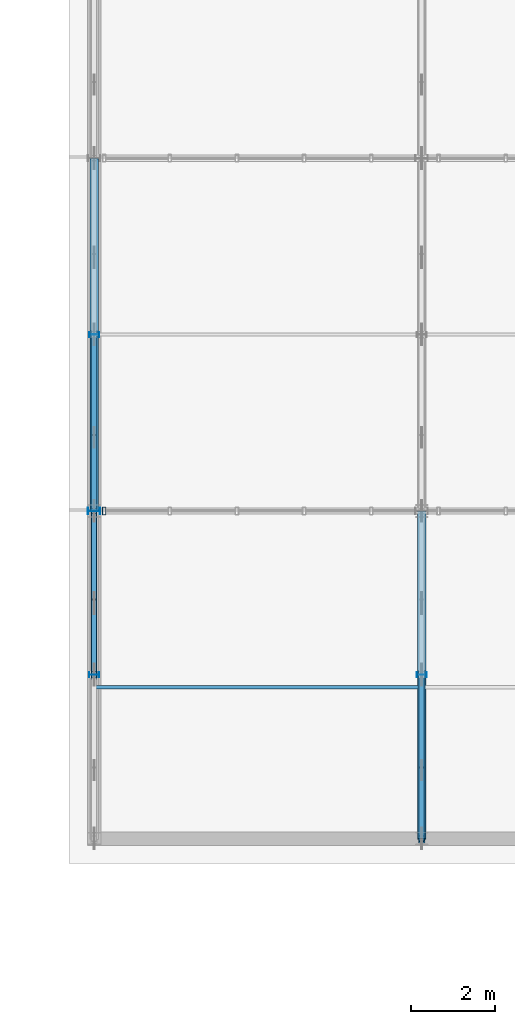
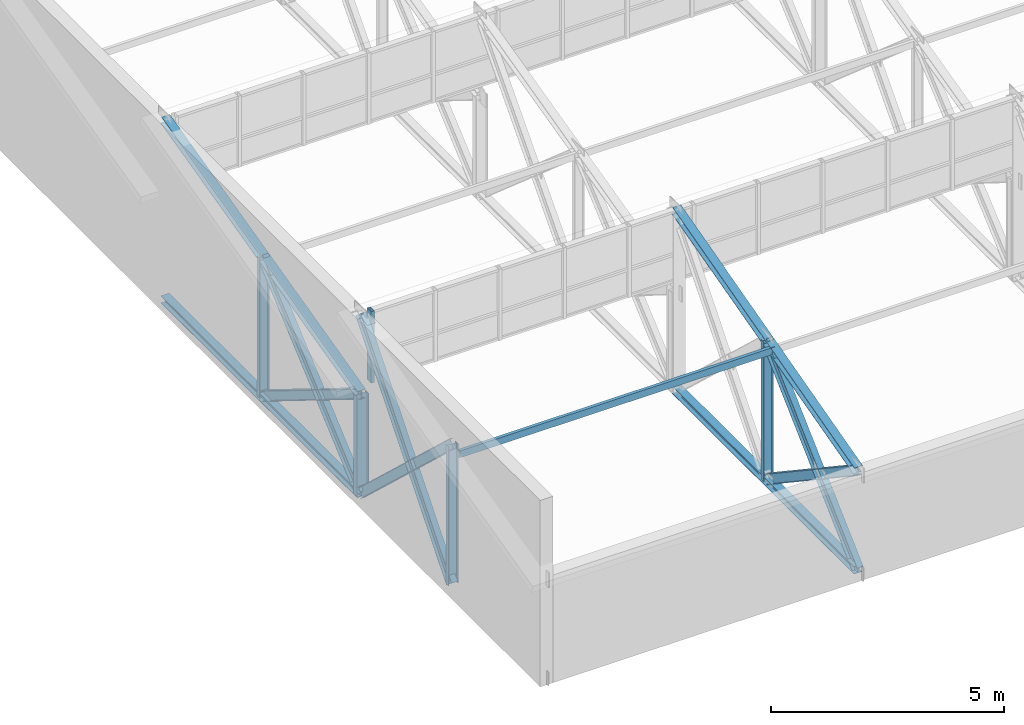
# One storey, part 66 of 123: 19 members, 1 element without a shape of its own.
"""IFC4 building model written with IfcOpenShell, lengths in metres."""

from ifc_helpers import new_model, si_unit, direction, frame, origin, origin_2d, place, context, subcontext, project, spatial, hollow_rectangle, i_section, extrude, material, layer, layer_set, material_profile, profile_set, type_object, element, aggregate, save


model = new_model("IFC4")

# Units and contexts
model_context = context("Model", 3, precision=1e-05, world=origin(), true_north=direction((0.0, 1.0)))
body_context = subcontext(model_context, "Body", "Model", "MODEL_VIEW")
ifc_project = project(units=[si_unit("LENGTHUNIT", "METRE"), si_unit("AREAUNIT", "SQUARE_METRE"), si_unit("VOLUMEUNIT", "CUBIC_METRE"), si_unit("PLANEANGLEUNIT", "RADIAN"), si_unit("MASSUNIT", "GRAM", prefix="KILO")], contexts=[model_context])

# Site, building, storey
site_placement = place(None, origin())
site = spatial("IfcSite", under=ifc_project, at=site_placement, CompositionType="ELEMENT")
building_placement = place(site_placement, origin())
building = spatial("IfcBuilding", under=site, at=building_placement, Name="Zayran Congress Hotel", CompositionType="ELEMENT")
storey_placement = place(building_placement, frame((0.0, 0.0, 15.0)))
storey = spatial("IfcBuildingStorey", under=building, at=storey_placement, Name="L03", CompositionType="ELEMENT", Elevation=15.0)

# Members
ifc_material_1 = material(Name="Steel S355", Category="steel")
ifc_material_profile_1 = material_profile(ifc_material_1, i_section(OverallWidth=0.199951171875, OverallDepth=0.199951171875, WebThickness=0.009033203125, FlangeThickness=0.014892578125, at=origin_2d()), Name="HEB 200")
ifc_profile_set_1 = profile_set([ifc_material_profile_1], Name="Steel S355")
member_type_1 = type_object("IfcMemberType", Name="TP-TR-CH2", PredefinedType="CHORD", material=ifc_profile_set_1)
member_1_placement = place(storey_placement, frame((151.800048828125, 17.199951171875, 0.0), z_axis=(0.0, 1.0, 0.0), x_axis=(-1.0, 0.0, 0.0)))
element("IfcMember", 1, at=member_1_placement, inside=storey, type_object=member_type_1, Name="Sawtooth Truss Bottom Chord 674", PredefinedType="CHORD", context=body_context, shape_type="SweptSolid", body=[
    extrude(i_section(OverallWidth=0.199951171875, OverallDepth=0.199951171875, WebThickness=0.009033203125, FlangeThickness=0.014892578125, at=origin_2d()), origin(), (0.0, 0.0, 1.0), 8.400146484375),
])
member_2_placement = place(storey_placement, frame((151.800048828125, 17.199951171875, 2.60009765625), z_axis=(0.0, 0.970299887237, 0.241905206287), x_axis=(-1.0, 0.0, 0.0)))
element("IfcMember", 2, at=member_2_placement, inside=storey, type_object=member_type_1, Name="Sawtooth Truss Top Chord 675", PredefinedType="CHORD", context=body_context, shape_type="SweptSolid", body=[
    extrude(i_section(OverallWidth=0.199951171875, OverallDepth=0.199951171875, WebThickness=0.009033203125, FlangeThickness=0.014892578125, at=origin_2d()), origin(), (0.0, 0.0, 1.0), 8.6572265625),
])
member_3_placement = place(storey_placement, frame((159.60009765625, 9.39990234375, 0.0), z_axis=(0.0, 1.0, 0.0), x_axis=(-1.0, 0.0, 0.0)))
element("IfcMember", 3, at=member_3_placement, inside=storey, type_object=member_type_1, Name="Sawtooth Truss Bottom Chord 686", PredefinedType="CHORD", context=body_context, shape_type="SweptSolid", body=[
    extrude(i_section(OverallWidth=0.199951171875, OverallDepth=0.199951171875, WebThickness=0.009033203125, FlangeThickness=0.014892578125, at=origin_2d()), origin(), (0.0, 0.0, 1.0), 7.800048828125),
])
member_4_placement = place(storey_placement, frame((159.60009765625, 9.39990234375, 2.60009765625), z_axis=(0.0, 0.96579502769, 0.259306699663), x_axis=(-1.0, 0.0, 0.0)))
element("IfcMember", 4, at=member_4_placement, inside=storey, type_object=member_type_1, Name="Sawtooth Truss Top Chord 687", PredefinedType="CHORD", context=body_context, shape_type="SweptSolid", body=[
    extrude(i_section(OverallWidth=0.199951171875, OverallDepth=0.199951171875, WebThickness=0.009033203125, FlangeThickness=0.014892578125, at=origin_2d()), origin(), (0.0, 0.0, 1.0), 8.076416015625),
])
ifc_material_profile_2 = material_profile(ifc_material_1, i_section(OverallWidth=0.14990234375, OverallDepth=0.300048828125, WebThickness=0.007080078125, FlangeThickness=0.0107421875, at=origin_2d()), Name="IPE 300")
ifc_profile_set_2 = profile_set([ifc_material_profile_2], Name="Steel S355")
member_type_2 = type_object("IfcMemberType", Name="TP-TR-BR1", PredefinedType="BRACE", material=ifc_profile_set_2)
member_5_placement = place(storey_placement, frame((151.800048828125, 13.300048828125, 0.0), z_axis=(0.0, 0.639018966279, 0.769190978065), x_axis=(-1.0, 0.0, 0.0)))
element("IfcMember", 5, at=member_5_placement, inside=storey, type_object=member_type_2, Name="Sawtooth Truss Diagonal Bay2 114", PredefinedType="BRACE", context=body_context, shape_type="SweptSolid", body=[
    extrude(i_section(OverallWidth=0.14990234375, OverallDepth=0.300048828125, WebThickness=0.007080078125, FlangeThickness=0.0107421875, at=origin_2d()), origin(), (0.0, 0.0, 1.0), 6.10302734375),
])
member_6_placement = place(storey_placement, frame((151.800048828125, 17.199951171875, 0.0), z_axis=(0.0, 0.755042838954, 0.655675461904), x_axis=(-1.0, 0.0, 0.0)))
element("IfcMember", 6, at=member_6_placement, inside=storey, type_object=member_type_2, Name="Sawtooth Truss Diagonal 676", PredefinedType="BRACE", context=body_context, shape_type="SweptSolid", body=[
    extrude(i_section(OverallWidth=0.14990234375, OverallDepth=0.300048828125, WebThickness=0.007080078125, FlangeThickness=0.0107421875, at=origin_2d()), origin(), (0.0, 0.0, 1.0), 5.5625),
])
member_7_placement = place(storey_placement, frame((151.800048828125, 17.199951171875, 0.0), z_axis=(0.0, 0.0, 1.0), x_axis=(0.0, 1.0, 0.0)))
element("IfcMember", 7, at=member_7_placement, inside=storey, type_object=member_type_2, Name="TRV-01 Sawtooth Truss Strut", PredefinedType="BRACE", context=body_context, shape_type="SweptSolid", body=[
    extrude(i_section(OverallWidth=0.14990234375, OverallDepth=0.300048828125, WebThickness=0.007080078125, FlangeThickness=0.0107421875, at=origin_2d()), origin(), (0.0, 0.0, 1.0), 2.60009765625),
])
member_8_placement = place(storey_placement, frame((159.60009765625, 9.39990234375, 0.0), z_axis=(0.0, 0.730393544503, 0.68302655157), x_axis=(-1.0, 0.0, 0.0)))
element("IfcMember", 8, at=member_8_placement, inside=storey, type_object=member_type_2, Name="Sawtooth Truss Diagonal 688", PredefinedType="BRACE", context=body_context, shape_type="SweptSolid", body=[
    extrude(i_section(OverallWidth=0.14990234375, OverallDepth=0.300048828125, WebThickness=0.007080078125, FlangeThickness=0.0107421875, at=origin_2d()), origin(), (0.0, 0.0, 1.0), 5.33984375),
])
ifc_material_profile_3 = material_profile(ifc_material_1, i_section(OverallWidth=0.1201171875, OverallDepth=0.239990234375, WebThickness=0.006103515625, FlangeThickness=0.009765625, at=origin_2d()), Name="IPE 240")
ifc_profile_set_3 = profile_set([ifc_material_profile_3], Name="Steel S355")
member_type_3 = type_object("IfcMemberType", Name="TP-TR-BR2", PredefinedType="BRACE", material=ifc_profile_set_3)
member_9_placement = place(storey_placement, frame((151.800048828125, 13.300048828125, 3.647216796875), z_axis=(0.0, 0.730340857111, -0.683082888407), x_axis=(-1.0, 0.0, 0.0)))
element("IfcMember", 9, at=member_9_placement, inside=storey, type_object=member_type_3, Name="Sawtooth Truss Counter Diagonal Bay2 Upper 115", PredefinedType="BRACE", context=body_context, shape_type="SweptSolid", body=[
    extrude(i_section(OverallWidth=0.1201171875, OverallDepth=0.239990234375, WebThickness=0.006103515625, FlangeThickness=0.009765625, at=origin_2d()), origin(), (0.0, 0.0, 1.0), 2.319580078125),
])
member_10_placement = place(storey_placement, frame((151.800048828125, 15.01611328125, 2.042236328125), z_axis=(0.0, 0.7303896686, -0.683030696237), x_axis=(-1.0, 0.0, 0.0)))
element("IfcMember", 10, at=member_10_placement, inside=storey, type_object=member_type_3, Name="Sawtooth Truss Counter Diagonal Bay2 Lower 116", PredefinedType="BRACE", context=body_context, shape_type="SweptSolid", body=[
    extrude(i_section(OverallWidth=0.1201171875, OverallDepth=0.239990234375, WebThickness=0.006103515625, FlangeThickness=0.009765625, at=origin_2d()), origin(), (0.0, 0.0, 1.0), 2.989990234375),
])
member_11_placement = place(storey_placement, frame((151.800048828125, 13.300048828125, 0.0), z_axis=(0.0, 0.0, 1.0), x_axis=(0.0, 1.0, 0.0)))
element("IfcMember", 11, at=member_11_placement, inside=storey, type_object=member_type_3, Name="TRV-01 Sawtooth Truss Strut", PredefinedType="BRACE", context=body_context, shape_type="SweptSolid", body=[
    extrude(i_section(OverallWidth=0.1201171875, OverallDepth=0.239990234375, WebThickness=0.006103515625, FlangeThickness=0.009765625, at=origin_2d()), origin(), (0.0, 0.0, 1.0), 3.647216796875),
])
member_12_placement = place(storey_placement, frame((151.800048828125, 17.199951171875, 2.60009765625), z_axis=(0.0, 0.85027534384, -0.526338141938), x_axis=(-1.0, 0.0, 0.0)))
element("IfcMember", 12, at=member_12_placement, inside=storey, type_object=member_type_3, Name="Sawtooth Truss Counter Diagonal Upper 677", PredefinedType="BRACE", context=body_context, shape_type="SweptSolid", body=[
    extrude(i_section(OverallWidth=0.1201171875, OverallDepth=0.239990234375, WebThickness=0.006103515625, FlangeThickness=0.009765625, at=origin_2d()), origin(), (0.0, 0.0, 1.0), 2.041015625),
])
member_13_placement = place(storey_placement, frame((151.800048828125, 18.960693359375, 1.510009765625), z_axis=(0.0, 0.850261519338, -0.526360474137), x_axis=(-1.0, 0.0, 0.0)))
element("IfcMember", 13, at=member_13_placement, inside=storey, type_object=member_type_3, Name="Sawtooth Truss Counter Diagonal Lower 117", PredefinedType="BRACE", context=body_context, shape_type="SweptSolid", body=[
    extrude(i_section(OverallWidth=0.1201171875, OverallDepth=0.239990234375, WebThickness=0.006103515625, FlangeThickness=0.009765625, at=origin_2d()), origin(), (0.0, 0.0, 1.0), 2.868896484375),
])
member_14_placement = place(storey_placement, frame((151.800048828125, 21.39990234375, 0.0), z_axis=(0.0, 0.0, 1.0), x_axis=(0.0, 1.0, 0.0)))
element("IfcMember", 14, at=member_14_placement, inside=storey, type_object=member_type_3, Name="TRV-01 Sawtooth Truss Strut", PredefinedType="BRACE", context=body_context, shape_type="SweptSolid", body=[
    extrude(i_section(OverallWidth=0.1201171875, OverallDepth=0.239990234375, WebThickness=0.006103515625, FlangeThickness=0.009765625, at=origin_2d()), origin(), (0.0, 0.0, 1.0), 3.647216796875),
])
member_15_placement = place(storey_placement, frame((159.60009765625, 9.39990234375, 2.60009765625), z_axis=(0.0, 0.831992082034, -0.554787504755), x_axis=(-1.0, 0.0, 0.0)))
element("IfcMember", 15, at=member_15_placement, inside=storey, type_object=member_type_3, Name="Sawtooth Truss Counter Diagonal Upper 689", PredefinedType="BRACE", context=body_context, shape_type="SweptSolid", body=[
    extrude(i_section(OverallWidth=0.1201171875, OverallDepth=0.239990234375, WebThickness=0.006103515625, FlangeThickness=0.009765625, at=origin_2d()), origin(), (0.0, 0.0, 1.0), 1.935791015625),
])
member_16_placement = place(storey_placement, frame((159.60009765625, 11.03564453125, 1.509521484375), z_axis=(0.0, 0.832064095683, -0.55467949365), x_axis=(-1.0, 0.0, 0.0)))
element("IfcMember", 16, at=member_16_placement, inside=storey, type_object=member_type_3, Name="Sawtooth Truss Counter Diagonal Lower 129", PredefinedType="BRACE", context=body_context, shape_type="SweptSolid", body=[
    extrude(i_section(OverallWidth=0.1201171875, OverallDepth=0.239990234375, WebThickness=0.006103515625, FlangeThickness=0.009765625, at=origin_2d()), origin(), (0.0, 0.0, 1.0), 2.721435546875),
])
member_17_placement = place(storey_placement, frame((159.60009765625, 13.300048828125, 0.0), z_axis=(0.0, 0.0, 1.0), x_axis=(0.0, 1.0, 0.0)))
element("IfcMember", 17, at=member_17_placement, inside=storey, type_object=member_type_3, Name="TRV-01 Sawtooth Truss Strut", PredefinedType="BRACE", context=body_context, shape_type="SweptSolid", body=[
    extrude(i_section(OverallWidth=0.1201171875, OverallDepth=0.239990234375, WebThickness=0.006103515625, FlangeThickness=0.009765625, at=origin_2d()), origin(), (0.0, 0.0, 1.0), 3.647216796875),
])
ifc_material_profile_4 = material_profile(ifc_material_1, hollow_rectangle(XDim=0.080078125, YDim=0.179931640625, WallThickness=0.0048828125, at=origin_2d()), Name="RHS 180x80x5")
ifc_profile_set_4 = profile_set([ifc_material_profile_4], Name="Steel S355")
member_type_4 = type_object("IfcMemberType", Name="TP-PR-02", PredefinedType="PURLIN", material=ifc_profile_set_4)
member_18_placement = place(storey_placement, frame((151.800048828125, 13.0, 3.572265625), z_axis=(1.0, 0.0, 0.0), x_axis=(0.0, 1.0, 0.0)))
element("IfcMember", 18, at=member_18_placement, inside=storey, type_object=member_type_4, Name="MEM-PR-V3-0201", PredefinedType="PURLIN", context=body_context, shape_type="SweptSolid", body=[
    extrude(hollow_rectangle(XDim=0.080078125, YDim=0.179931640625, WallThickness=0.0048828125, at=origin_2d()), origin(), (0.0, 0.0, 1.0), 7.800048828125),
])

# Curtain wall, member
ifc_material_2 = material(Name="Anodised aluminium and low-E insulated glass", Category="aluminium")
ifc_layer = layer(ifc_material_2, 0.179931640625)
ifc_layer_set = layer_set([ifc_layer], Name="Anodised aluminium and low-E insulated glass")
curtain_wall_type = type_object("IfcCurtainWallType", Name="CW-V3SAW-L03-CW-V31-32000-1870", PredefinedType="USERDEFINED", material=ifc_layer_set)
curtain_wall_placement = place(storey_placement, origin())
curtain_wall = element("IfcCurtainWall", 19, at=curtain_wall_placement, inside=storey, type_object=curtain_wall_type, Name="CW-V3SAW-1", ObjectType="CURTAIN WALL", PredefinedType="USERDEFINED")
ifc_material_3 = material(Name="Anodised aluminium framing", Category="aluminium")
ifc_material_profile_5 = material_profile(ifc_material_3, hollow_rectangle(XDim=0.080078125, YDim=0.179931640625, WallThickness=0.0048828125, at=origin_2d()), Name="RHS 180x80x5")
ifc_profile_set_5 = profile_set([ifc_material_profile_5], Name="Anodised aluminium framing")
member_type_5 = type_object("IfcMemberType", Name="TP-CWM-01", PredefinedType="MULLION", material=ifc_profile_set_5)
member_19_placement = place(storey_placement, frame((152.0400390625, 17.199951171875, 2.85009765625), z_axis=(0.0, 0.0, 1.0), x_axis=(1.0, 0.0, 0.0)))
member_19 = element("IfcMember", 20, at=member_19_placement, type_object=member_type_5, Name="CW-V3SAW-1-M20", PredefinedType="MULLION", context=body_context, shape_type="SweptSolid", body=[
    extrude(hollow_rectangle(XDim=0.080078125, YDim=0.179931640625, WallThickness=0.0048828125, at=origin_2d()), origin(), (0.0, 0.0, 1.0), 1.869873046875),
])
aggregate(curtain_wall, [member_19])

save(model, "model.ifc")
